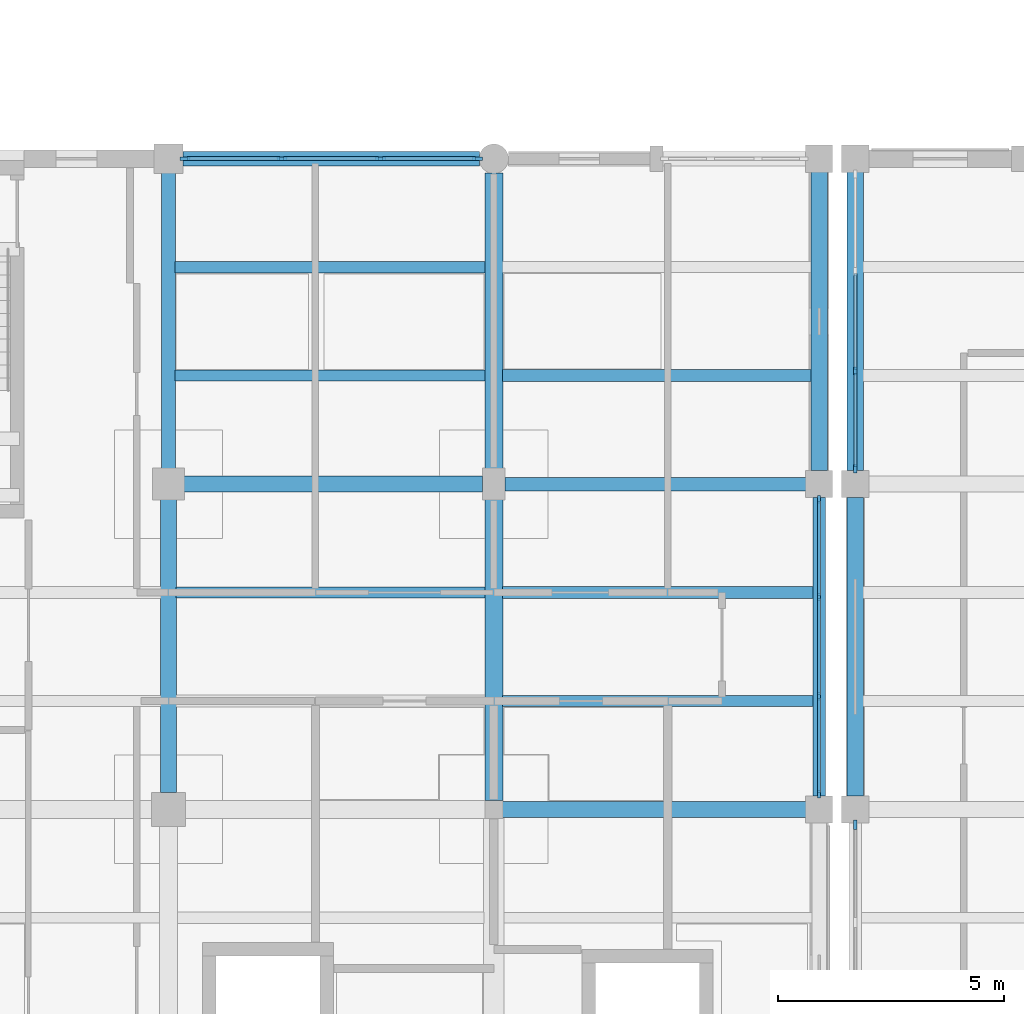
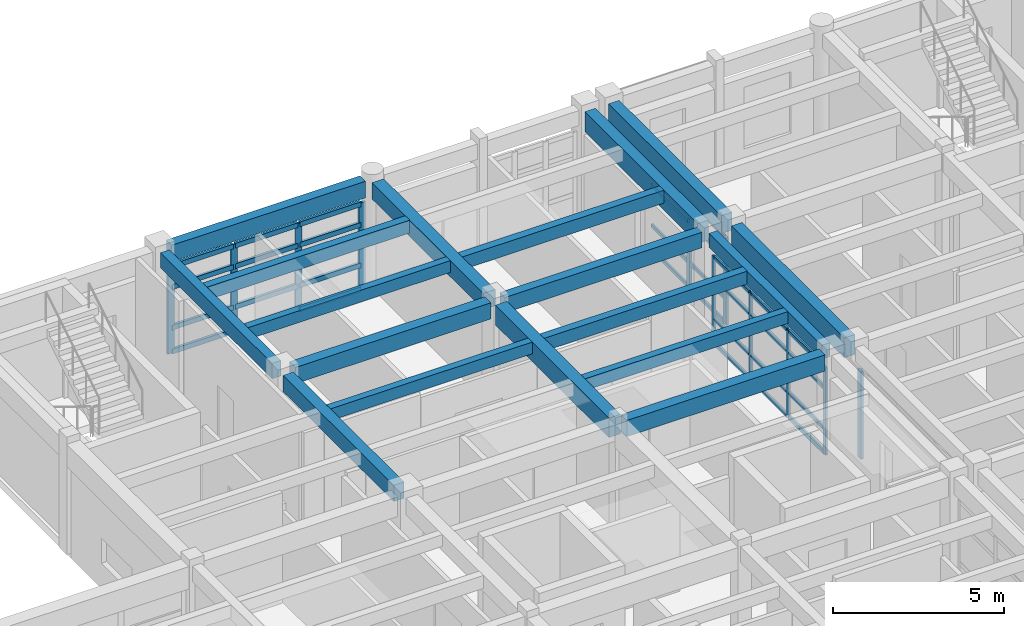
# One storey, part 33 of 110: 42 members, 18 beams, 4 elements without a shape of their own.
"""IFC4 building model written with IfcOpenShell, lengths in metres."""

from ifc_helpers import new_model, si_unit, direction, frame, origin, origin_2d, place, context, subcontext, project, spatial, rectangle, extrude, material, material_profile, profile_set, type_object, element, aggregate, save


model = new_model("IFC4")

# Units and contexts
model_context = context("Model", 3, precision=1e-05, world=origin(), true_north=direction((0.0, 1.0)))
body_context = subcontext(model_context, "Body", "Model", "MODEL_VIEW")
ifc_project = project(units=[si_unit("LENGTHUNIT", "METRE"), si_unit("AREAUNIT", "SQUARE_METRE"), si_unit("VOLUMEUNIT", "CUBIC_METRE"), si_unit("PLANEANGLEUNIT", "RADIAN"), si_unit("MASSUNIT", "GRAM", prefix="KILO")], contexts=[model_context])

# Site, building, storey
site_placement = place(None, origin())
site = spatial("IfcSite", under=ifc_project, at=site_placement, CompositionType="ELEMENT")
building_placement = place(site_placement, origin())
building = spatial("IfcBuilding", under=site, at=building_placement, Name="Steenspoor Specialist Clinic", CompositionType="ELEMENT")
storey_placement = place(building_placement, frame((0.0, 0.0, 4.800048828125)))
storey = spatial("IfcBuildingStorey", under=building, at=storey_placement, Name="L01", CompositionType="ELEMENT", Elevation=4.800048828125)

# Beams
ifc_material_1 = material(Name="Concrete C35/45", Category="concrete")
ifc_material_profile_1 = material_profile(ifc_material_1, rectangle(XDim=0.300048828125, YDim=0.550048828125, at=origin_2d()), Name="RC-BM-300X550")
ifc_profile_set_1 = profile_set([ifc_material_profile_1], Name="Concrete C35/45")
beam_type_1 = type_object("IfcBeamType", Name="BM-RC-300X550", PredefinedType="BEAM", material=ifc_profile_set_1)
beam_1_placement = place(storey_placement, frame((44.64501953125, 101.14990234375, 3.675048828125), z_axis=(1.0, 0.0, 0.0), x_axis=(0.0, 1.0, 0.0)))
element("IfcBeam", 1, at=beam_1_placement, inside=storey, type_object=beam_type_1, Name="BM-V5-L01-X1174", PredefinedType="BEAM", context=body_context, shape_type="SweptSolid", body=[
    extrude(rectangle(XDim=0.300048828125, YDim=0.550048828125, at=origin_2d()), origin(), (0.0, 0.0, 1.0), 6.659912109375),
])
beam_2_placement = place(storey_placement, frame((37.199951171875, 101.4951171875, 3.675048828125), z_axis=(0.0, 1.0, 0.0), x_axis=(-1.0, 0.0, 0.0)))
element("IfcBeam", 2, at=beam_2_placement, inside=storey, type_object=beam_type_1, Name="BM-V5-L01-Y1193", PredefinedType="BEAM", context=body_context, shape_type="SweptSolid", body=[
    extrude(rectangle(XDim=0.300048828125, YDim=0.550048828125, at=origin_2d()), origin(), (0.0, 0.0, 1.0), 6.534912109375),
])
ifc_material_profile_2 = material_profile(ifc_material_1, rectangle(XDim=0.35009765625, YDim=0.580078125, at=origin_2d()), Name="RC-BM-350X580")
ifc_profile_set_2 = profile_set([ifc_material_profile_2], Name="Concrete C35/45")
beam_type_2 = type_object("IfcBeamType", Name="BM-RC-350X580", PredefinedType="BEAM", material=ifc_profile_set_2)
beam_3_placement = place(storey_placement, frame((44.594970703125, 93.949951171875, 3.659912109375), z_axis=(1.0, 0.0, 0.0), x_axis=(0.0, 1.0, 0.0)))
element("IfcBeam", 3, at=beam_3_placement, inside=storey, type_object=beam_type_2, Name="BM-V5-L01-X1172", PredefinedType="BEAM", context=body_context, shape_type="SweptSolid", body=[
    extrude(rectangle(XDim=0.35009765625, YDim=0.580078125, at=origin_2d()), origin(), (0.0, 0.0, 1.0), 6.7099609375),
])
beam_4_placement = place(storey_placement, frame((37.544921875, 101.14990234375, 3.659912109375), z_axis=(1.0, 0.0, 0.0), x_axis=(0.0, 1.0, 0.0)))
element("IfcBeam", 4, at=beam_4_placement, inside=storey, type_object=beam_type_2, Name="BM-V5-L01-X1173", PredefinedType="BEAM", context=body_context, shape_type="SweptSolid", body=[
    extrude(rectangle(XDim=0.35009765625, YDim=0.580078125, at=origin_2d()), origin(), (0.0, 0.0, 1.0), 6.610107421875),
])
beam_5_placement = place(storey_placement, frame((37.199951171875, 94.320068359375, 3.659912109375), z_axis=(0.0, 1.0, 0.0), x_axis=(-1.0, 0.0, 0.0)))
element("IfcBeam", 5, at=beam_5_placement, inside=storey, type_object=beam_type_2, Name="BM-V5-L01-Y1192", PredefinedType="BEAM", context=body_context, shape_type="SweptSolid", body=[
    extrude(rectangle(XDim=0.35009765625, YDim=0.580078125, at=origin_2d()), origin(), (0.0, 0.0, 1.0), 6.48486328125),
])
ifc_material_profile_3 = material_profile(ifc_material_1, rectangle(XDim=0.39990234375, YDim=0.580078125, at=origin_2d()), Name="RC-BM-400X580")
ifc_profile_set_3 = profile_set([ifc_material_profile_3], Name="Concrete C35/45")
beam_type_3 = type_object("IfcBeamType", Name="BM-RC-400X580", PredefinedType="BEAM", material=ifc_profile_set_3)
beam_6_placement = place(storey_placement, frame((44.39990234375, 101.4951171875, 3.659912109375), z_axis=(0.0, 1.0, 0.0), x_axis=(-1.0, 0.0, 0.0)))
element("IfcBeam", 6, at=beam_6_placement, inside=storey, type_object=beam_type_3, Name="BM-V5-L01-Y1199", PredefinedType="BEAM", context=body_context, shape_type="SweptSolid", body=[
    extrude(rectangle(XDim=0.39990234375, YDim=0.580078125, at=origin_2d()), origin(), (0.0, 0.0, 1.0), 6.534912109375),
])
ifc_material_profile_4 = material_profile(ifc_material_1, rectangle(XDim=0.39990234375, YDim=0.699951171875, at=origin_2d()), Name="RC-BM-400X700")
ifc_profile_set_4 = profile_set([ifc_material_profile_4], Name="Concrete C35/45")
beam_type_4 = type_object("IfcBeamType", Name="BM-RC-400X700", PredefinedType="BEAM", material=ifc_profile_set_4)
beam_7_placement = place(storey_placement, frame((44.39990234375, 94.14501953125, 3.599853515625), z_axis=(0.0, 1.0, 0.0), x_axis=(-1.0, 0.0, 0.0)))
element("IfcBeam", 7, at=beam_7_placement, inside=storey, type_object=beam_type_4, Name="BM-V5-L01-Y1198", PredefinedType="BEAM", context=body_context, shape_type="SweptSolid", body=[
    extrude(rectangle(XDim=0.39990234375, YDim=0.699951171875, at=origin_2d()), origin(), (0.0, 0.0, 1.0), 6.659912109375),
])

# Curtain wall, members
ifc_material_2 = material(Name="Thermally broken aluminium and low-emissivity glass", Category="aluminium")
curtain_wall_type_1 = type_object("IfcCurtainWallType", Name="CW-HALL-650X820", PredefinedType="USERDEFINED", material=ifc_material_2)
curtain_wall_1_placement = place(storey_placement, origin())
curtain_wall_1 = element("IfcCurtainWall", 8, at=curtain_wall_1_placement, inside=storey, type_object=curtain_wall_type_1, Name="Unitised Curtain Wall CW-V5-L01-146", ObjectType="UNITISED GLAZING", PredefinedType="USERDEFINED")
ifc_material_3 = material(Name="Thermally broken aluminium 6063-T6", Category="aluminium")
ifc_material_profile_5 = material_profile(ifc_material_3, rectangle(XDim=0.070068359375, YDim=0.1650390625, at=origin_2d()), Name="CWM-70X165")
ifc_profile_set_5 = profile_set([ifc_material_profile_5], Name="Thermally broken aluminium 6063-T6")
member_type_1 = type_object("IfcMemberType", Name="CW-MULL-70X165", PredefinedType="MULLION", material=ifc_profile_set_5)
member_1_placement = place(storey_placement, frame((51.60009765625, 100.81494140625, 0.0), z_axis=(0.0, 0.0, 1.0), x_axis=(1.0, 0.0, 0.0)))
member_1 = element("IfcMember", 9, at=member_1_placement, type_object=member_type_1, Name="CW-02 mullion 1", PredefinedType="MULLION", context=body_context, shape_type="SweptSolid", body=[
    extrude(rectangle(XDim=0.070068359375, YDim=0.1650390625, at=origin_2d()), origin(), (0.0, 0.0, 1.0), 3.1298828125),
])
member_2_placement = place(storey_placement, frame((51.60009765625, 98.64990234375, 0.0), z_axis=(0.0, 0.0, 1.0), x_axis=(1.0, 0.0, 0.0)))
member_2 = element("IfcMember", 10, at=member_2_placement, type_object=member_type_1, Name="CW-02 mullion 2", PredefinedType="MULLION", context=body_context, shape_type="SweptSolid", body=[
    extrude(rectangle(XDim=0.070068359375, YDim=0.1650390625, at=origin_2d()), origin(), (0.0, 0.0, 1.0), 3.1298828125),
])
member_3_placement = place(storey_placement, frame((51.60009765625, 96.449951171875, 0.0), z_axis=(0.0, 0.0, 1.0), x_axis=(1.0, 0.0, 0.0)))
member_3 = element("IfcMember", 11, at=member_3_placement, type_object=member_type_1, Name="CW-02 mullion 3", PredefinedType="MULLION", context=body_context, shape_type="SweptSolid", body=[
    extrude(rectangle(XDim=0.070068359375, YDim=0.1650390625, at=origin_2d()), origin(), (0.0, 0.0, 1.0), 3.1298828125),
])
member_4_placement = place(storey_placement, frame((51.60009765625, 94.284912109375, 0.0), z_axis=(0.0, 0.0, 1.0), x_axis=(1.0, 0.0, 0.0)))
member_4 = element("IfcMember", 12, at=member_4_placement, type_object=member_type_1, Name="CW-02 mullion 4", PredefinedType="MULLION", context=body_context, shape_type="SweptSolid", body=[
    extrude(rectangle(XDim=0.070068359375, YDim=0.1650390625, at=origin_2d()), origin(), (0.0, 0.0, 1.0), 3.1298828125),
])

curtain_wall_type_2 = type_object("IfcCurtainWallType", Name="CW-SCR-360X320", PredefinedType="USERDEFINED", material=ifc_material_2)
curtain_wall_2_placement = place(storey_placement, origin())
curtain_wall_2 = element("IfcCurtainWall", 13, at=curtain_wall_2_placement, inside=storey, type_object=curtain_wall_type_2, Name="Unitised Curtain Wall CW-V4-L01-067", ObjectType="UNITISED GLAZING", PredefinedType="USERDEFINED")
ifc_material_profile_6 = material_profile(ifc_material_3, rectangle(XDim=0.080078125, YDim=0.179931640625, at=origin_2d()), Name="CWM-80X180")
ifc_profile_set_6 = profile_set([ifc_material_profile_6], Name="Thermally broken aluminium 6063-T6")
member_type_2 = type_object("IfcMemberType", Name="CW-MULL-80X180", PredefinedType="MULLION", material=ifc_profile_set_6)
member_5_placement = place(storey_placement, frame((52.39990234375, 101.489990234375, 0.0), z_axis=(0.0, 0.0, 1.0), x_axis=(-1.0, 0.0, 0.0)))
member_5 = element("IfcMember", 14, at=member_5_placement, type_object=member_type_2, Name="CW-19 mullion 1", PredefinedType="MULLION", context=body_context, shape_type="SweptSolid", body=[
    extrude(rectangle(XDim=0.080078125, YDim=0.179931640625, at=origin_2d()), origin(), (0.0, 0.0, 1.0), 3.1298828125),
])
member_6_placement = place(storey_placement, frame((52.39990234375, 103.64990234375, 0.0), z_axis=(0.0, 0.0, 1.0), x_axis=(-1.0, 0.0, 0.0)))
member_6 = element("IfcMember", 15, at=member_6_placement, type_object=member_type_2, Name="CW-19 mullion 2", PredefinedType="MULLION", context=body_context, shape_type="SweptSolid", body=[
    extrude(rectangle(XDim=0.080078125, YDim=0.179931640625, at=origin_2d()), origin(), (0.0, 0.0, 1.0), 3.1298828125),
])

# Curtain wall, member
curtain_wall_type_3 = type_object("IfcCurtainWallType", Name="CW-SCR-480X320", PredefinedType="USERDEFINED", material=ifc_material_2)
curtain_wall_3_placement = place(storey_placement, origin())
curtain_wall_3 = element("IfcCurtainWall", 16, at=curtain_wall_3_placement, inside=storey, type_object=curtain_wall_type_3, Name="Unitised Curtain Wall CW-V4-L01-066", ObjectType="UNITISED GLAZING", PredefinedType="USERDEFINED")
ifc_material_profile_7 = material_profile(ifc_material_3, rectangle(XDim=0.080078125, YDim=0.219970703125, at=origin_2d()), Name="CWM-80X220")
ifc_profile_set_7 = profile_set([ifc_material_profile_7], Name="Thermally broken aluminium 6063-T6")
member_type_3 = type_object("IfcMemberType", Name="CW-MULL-80X220", PredefinedType="MULLION", material=ifc_profile_set_7)
member_7_placement = place(storey_placement, frame((52.39990234375, 93.610107421875, 0.0), z_axis=(0.0, 0.0, 1.0), x_axis=(-1.0, 0.0, 0.0)))
member_7 = element("IfcMember", 17, at=member_7_placement, type_object=member_type_3, Name="CW-18 mullion 4", PredefinedType="MULLION", context=body_context, shape_type="SweptSolid", body=[
    extrude(rectangle(XDim=0.080078125, YDim=0.219970703125, at=origin_2d()), origin(), (0.0, 0.0, 1.0), 3.1298828125),
])
aggregate(curtain_wall_3, [member_7])

# Curtain wall, members
curtain_wall_type_4 = type_object("IfcCurtainWallType", Name="CW-STR-220X415", PredefinedType="USERDEFINED", material=ifc_material_2)
curtain_wall_4_placement = place(storey_placement, origin())
curtain_wall_4 = element("IfcCurtainWall", 18, at=curtain_wall_4_placement, inside=storey, type_object=curtain_wall_type_4, Name="Unitised Curtain Wall CW-V5-L01-144", ObjectType="UNITISED GLAZING", PredefinedType="USERDEFINED")
member_8_placement = place(storey_placement, frame((37.56494140625, 108.35009765625, 0.0), z_axis=(0.0, 0.0, 1.0), x_axis=(0.0, 1.0, 0.0)))
member_8 = element("IfcMember", 19, at=member_8_placement, type_object=member_type_3, Name="CW-24 mullion 1", PredefinedType="MULLION", context=body_context, shape_type="SweptSolid", body=[
    extrude(rectangle(XDim=0.080078125, YDim=0.219970703125, at=origin_2d()), origin(), (0.0, 0.0, 1.0), 3.1298828125),
])
member_9_placement = place(storey_placement, frame((39.708251953125, 108.35009765625, 0.0), z_axis=(0.0, 0.0, 1.0), x_axis=(0.0, 1.0, 0.0)))
member_9 = element("IfcMember", 20, at=member_9_placement, type_object=member_type_3, Name="CW-24 mullion 2", PredefinedType="MULLION", context=body_context, shape_type="SweptSolid", body=[
    extrude(rectangle(XDim=0.080078125, YDim=0.219970703125, at=origin_2d()), origin(), (0.0, 0.0, 1.0), 3.1298828125),
])
member_10_placement = place(storey_placement, frame((41.8916015625, 108.35009765625, 0.0), z_axis=(0.0, 0.0, 1.0), x_axis=(0.0, 1.0, 0.0)))
member_10 = element("IfcMember", 21, at=member_10_placement, type_object=member_type_3, Name="CW-24 mullion 3", PredefinedType="MULLION", context=body_context, shape_type="SweptSolid", body=[
    extrude(rectangle(XDim=0.080078125, YDim=0.219970703125, at=origin_2d()), origin(), (0.0, 0.0, 1.0), 3.1298828125),
])
member_11_placement = place(storey_placement, frame((44.034912109375, 108.35009765625, 0.0), z_axis=(0.0, 0.0, 1.0), x_axis=(0.0, 1.0, 0.0)))
member_11 = element("IfcMember", 22, at=member_11_placement, type_object=member_type_3, Name="CW-24 mullion 4", PredefinedType="MULLION", context=body_context, shape_type="SweptSolid", body=[
    extrude(rectangle(XDim=0.080078125, YDim=0.219970703125, at=origin_2d()), origin(), (0.0, 0.0, 1.0), 3.1298828125),
])

# Member
ifc_material_profile_8 = material_profile(ifc_material_3, rectangle(XDim=0.06494140625, YDim=0.1298828125, at=origin_2d()), Name="CWT-65X130")
ifc_profile_set_8 = profile_set([ifc_material_profile_8], Name="Thermally broken aluminium 6063-T6")
member_type_4 = type_object("IfcMemberType", Name="CW-TRAN-65X130", PredefinedType="USERDEFINED", material=ifc_profile_set_8)
member_12_placement = place(storey_placement, frame((52.39990234375, 101.530029296875, 0.032470703125), z_axis=(0.0, 1.0, 0.0), x_axis=(-1.0, 0.0, 0.0)))
member_12 = element("IfcMember", 23, at=member_12_placement, type_object=member_type_4, Name="CW-19 transom 1.1", ObjectType="TRANSOM", PredefinedType="USERDEFINED", context=body_context, shape_type="SweptSolid", body=[
    extrude(rectangle(XDim=0.06494140625, YDim=0.1298828125, at=origin_2d()), origin(), (0.0, 0.0, 1.0), 2.080078125),
])

member_13_placement = place(storey_placement, frame((52.39990234375, 101.530029296875, 0.89990234375), z_axis=(0.0, 1.0, 0.0), x_axis=(-1.0, 0.0, 0.0)))
member_13 = element("IfcMember", 24, at=member_13_placement, type_object=member_type_4, Name="CW-19 transom 1.2", ObjectType="TRANSOM", PredefinedType="USERDEFINED", context=body_context, shape_type="SweptSolid", body=[
    extrude(rectangle(XDim=0.06494140625, YDim=0.1298828125, at=origin_2d()), origin(), (0.0, 0.0, 1.0), 2.080078125),
])

member_14_placement = place(storey_placement, frame((52.39990234375, 101.530029296875, 2.349853515625), z_axis=(0.0, 1.0, 0.0), x_axis=(-1.0, 0.0, 0.0)))
member_14 = element("IfcMember", 25, at=member_14_placement, type_object=member_type_4, Name="CW-19 transom 1.3", ObjectType="TRANSOM", PredefinedType="USERDEFINED", context=body_context, shape_type="SweptSolid", body=[
    extrude(rectangle(XDim=0.06494140625, YDim=0.1298828125, at=origin_2d()), origin(), (0.0, 0.0, 1.0), 2.080078125),
])

member_15_placement = place(storey_placement, frame((52.39990234375, 101.530029296875, 3.097412109375), z_axis=(0.0, 1.0, 0.0), x_axis=(-1.0, 0.0, 0.0)))
member_15 = element("IfcMember", 26, at=member_15_placement, type_object=member_type_4, Name="CW-19 transom 1.4", ObjectType="TRANSOM", PredefinedType="USERDEFINED", context=body_context, shape_type="SweptSolid", body=[
    extrude(rectangle(XDim=0.06494140625, YDim=0.1298828125, at=origin_2d()), origin(), (0.0, 0.0, 1.0), 2.080078125),
])

member_16_placement = place(storey_placement, frame((52.39990234375, 103.68994140625, 0.032470703125), z_axis=(0.0, 1.0, 0.0), x_axis=(-1.0, 0.0, 0.0)))
member_16 = element("IfcMember", 27, at=member_16_placement, type_object=member_type_4, Name="CW-19 transom 2.1", ObjectType="TRANSOM", PredefinedType="USERDEFINED", context=body_context, shape_type="SweptSolid", body=[
    extrude(rectangle(XDim=0.06494140625, YDim=0.1298828125, at=origin_2d()), origin(), (0.0, 0.0, 1.0), 2.1201171875),
])

member_17_placement = place(storey_placement, frame((52.39990234375, 103.68994140625, 0.89990234375), z_axis=(0.0, 1.0, 0.0), x_axis=(-1.0, 0.0, 0.0)))
member_17 = element("IfcMember", 28, at=member_17_placement, type_object=member_type_4, Name="CW-19 transom 2.2", ObjectType="TRANSOM", PredefinedType="USERDEFINED", context=body_context, shape_type="SweptSolid", body=[
    extrude(rectangle(XDim=0.06494140625, YDim=0.1298828125, at=origin_2d()), origin(), (0.0, 0.0, 1.0), 2.1201171875),
])

member_18_placement = place(storey_placement, frame((52.39990234375, 103.68994140625, 2.349853515625), z_axis=(0.0, 1.0, 0.0), x_axis=(-1.0, 0.0, 0.0)))
member_18 = element("IfcMember", 29, at=member_18_placement, type_object=member_type_4, Name="CW-19 transom 2.3", ObjectType="TRANSOM", PredefinedType="USERDEFINED", context=body_context, shape_type="SweptSolid", body=[
    extrude(rectangle(XDim=0.06494140625, YDim=0.1298828125, at=origin_2d()), origin(), (0.0, 0.0, 1.0), 2.1201171875),
])

aggregate(curtain_wall_2, [member_5, member_6, member_12, member_13, member_14, member_15, member_16, member_17, member_18])

ifc_material_profile_9 = material_profile(ifc_material_3, rectangle(XDim=0.070068359375, YDim=0.14501953125, at=origin_2d()), Name="CWT-70X145")
ifc_profile_set_9 = profile_set([ifc_material_profile_9], Name="Thermally broken aluminium 6063-T6")
member_type_5 = type_object("IfcMemberType", Name="CW-TRAN-70X145", PredefinedType="USERDEFINED", material=ifc_profile_set_9)
member_19_placement = place(storey_placement, frame((51.60009765625, 100.780029296875, 0.034912109375), z_axis=(0.0, -1.0, 0.0), x_axis=(1.0, 0.0, 0.0)))
member_19 = element("IfcMember", 30, at=member_19_placement, type_object=member_type_5, Name="CW-02 transom 1.1", ObjectType="TRANSOM", PredefinedType="USERDEFINED", context=body_context, shape_type="SweptSolid", body=[
    extrude(rectangle(XDim=0.070068359375, YDim=0.14501953125, at=origin_2d()), origin(), (0.0, 0.0, 1.0), 2.094970703125),
])

member_20_placement = place(storey_placement, frame((51.60009765625, 100.780029296875, 0.89990234375), z_axis=(0.0, -1.0, 0.0), x_axis=(1.0, 0.0, 0.0)))
member_20 = element("IfcMember", 31, at=member_20_placement, type_object=member_type_5, Name="CW-02 transom 1.2", ObjectType="TRANSOM", PredefinedType="USERDEFINED", context=body_context, shape_type="SweptSolid", body=[
    extrude(rectangle(XDim=0.070068359375, YDim=0.14501953125, at=origin_2d()), origin(), (0.0, 0.0, 1.0), 2.094970703125),
])

member_21_placement = place(storey_placement, frame((51.60009765625, 100.780029296875, 2.349853515625), z_axis=(0.0, -1.0, 0.0), x_axis=(1.0, 0.0, 0.0)))
member_21 = element("IfcMember", 32, at=member_21_placement, type_object=member_type_5, Name="CW-02 transom 1.3", ObjectType="TRANSOM", PredefinedType="USERDEFINED", context=body_context, shape_type="SweptSolid", body=[
    extrude(rectangle(XDim=0.070068359375, YDim=0.14501953125, at=origin_2d()), origin(), (0.0, 0.0, 1.0), 2.094970703125),
])

member_22_placement = place(storey_placement, frame((51.60009765625, 100.780029296875, 3.094970703125), z_axis=(0.0, -1.0, 0.0), x_axis=(1.0, 0.0, 0.0)))
member_22 = element("IfcMember", 33, at=member_22_placement, type_object=member_type_5, Name="CW-02 transom 1.4", ObjectType="TRANSOM", PredefinedType="USERDEFINED", context=body_context, shape_type="SweptSolid", body=[
    extrude(rectangle(XDim=0.070068359375, YDim=0.14501953125, at=origin_2d()), origin(), (0.0, 0.0, 1.0), 2.094970703125),
])

member_23_placement = place(storey_placement, frame((51.60009765625, 98.614990234375, 0.034912109375), z_axis=(0.0, -1.0, 0.0), x_axis=(1.0, 0.0, 0.0)))
member_23 = element("IfcMember", 34, at=member_23_placement, type_object=member_type_5, Name="CW-02 transom 2.1", ObjectType="TRANSOM", PredefinedType="USERDEFINED", context=body_context, shape_type="SweptSolid", body=[
    extrude(rectangle(XDim=0.070068359375, YDim=0.14501953125, at=origin_2d()), origin(), (0.0, 0.0, 1.0), 2.1298828125),
])

member_24_placement = place(storey_placement, frame((51.60009765625, 98.614990234375, 0.89990234375), z_axis=(0.0, -1.0, 0.0), x_axis=(1.0, 0.0, 0.0)))
member_24 = element("IfcMember", 35, at=member_24_placement, type_object=member_type_5, Name="CW-02 transom 2.2", ObjectType="TRANSOM", PredefinedType="USERDEFINED", context=body_context, shape_type="SweptSolid", body=[
    extrude(rectangle(XDim=0.070068359375, YDim=0.14501953125, at=origin_2d()), origin(), (0.0, 0.0, 1.0), 2.1298828125),
])

member_25_placement = place(storey_placement, frame((51.60009765625, 98.614990234375, 2.349853515625), z_axis=(0.0, -1.0, 0.0), x_axis=(1.0, 0.0, 0.0)))
member_25 = element("IfcMember", 36, at=member_25_placement, type_object=member_type_5, Name="CW-02 transom 2.3", ObjectType="TRANSOM", PredefinedType="USERDEFINED", context=body_context, shape_type="SweptSolid", body=[
    extrude(rectangle(XDim=0.070068359375, YDim=0.14501953125, at=origin_2d()), origin(), (0.0, 0.0, 1.0), 2.1298828125),
])

member_26_placement = place(storey_placement, frame((51.60009765625, 98.614990234375, 3.094970703125), z_axis=(0.0, -1.0, 0.0), x_axis=(1.0, 0.0, 0.0)))
member_26 = element("IfcMember", 37, at=member_26_placement, type_object=member_type_5, Name="CW-02 transom 2.4", ObjectType="TRANSOM", PredefinedType="USERDEFINED", context=body_context, shape_type="SweptSolid", body=[
    extrude(rectangle(XDim=0.070068359375, YDim=0.14501953125, at=origin_2d()), origin(), (0.0, 0.0, 1.0), 2.1298828125),
])

member_27_placement = place(storey_placement, frame((51.60009765625, 96.4150390625, 0.034912109375), z_axis=(0.0, -1.0, 0.0), x_axis=(1.0, 0.0, 0.0)))
member_27 = element("IfcMember", 38, at=member_27_placement, type_object=member_type_5, Name="CW-02 transom 3.1", ObjectType="TRANSOM", PredefinedType="USERDEFINED", context=body_context, shape_type="SweptSolid", body=[
    extrude(rectangle(XDim=0.070068359375, YDim=0.14501953125, at=origin_2d()), origin(), (0.0, 0.0, 1.0), 2.094970703125),
])

member_28_placement = place(storey_placement, frame((51.60009765625, 96.4150390625, 0.89990234375), z_axis=(0.0, -1.0, 0.0), x_axis=(1.0, 0.0, 0.0)))
member_28 = element("IfcMember", 39, at=member_28_placement, type_object=member_type_5, Name="CW-02 transom 3.2", ObjectType="TRANSOM", PredefinedType="USERDEFINED", context=body_context, shape_type="SweptSolid", body=[
    extrude(rectangle(XDim=0.070068359375, YDim=0.14501953125, at=origin_2d()), origin(), (0.0, 0.0, 1.0), 2.094970703125),
])

member_29_placement = place(storey_placement, frame((51.60009765625, 96.4150390625, 2.349853515625), z_axis=(0.0, -1.0, 0.0), x_axis=(1.0, 0.0, 0.0)))
member_29 = element("IfcMember", 40, at=member_29_placement, type_object=member_type_5, Name="CW-02 transom 3.3", ObjectType="TRANSOM", PredefinedType="USERDEFINED", context=body_context, shape_type="SweptSolid", body=[
    extrude(rectangle(XDim=0.070068359375, YDim=0.14501953125, at=origin_2d()), origin(), (0.0, 0.0, 1.0), 2.094970703125),
])

member_30_placement = place(storey_placement, frame((51.60009765625, 96.4150390625, 3.094970703125), z_axis=(0.0, -1.0, 0.0), x_axis=(1.0, 0.0, 0.0)))
member_30 = element("IfcMember", 41, at=member_30_placement, type_object=member_type_5, Name="CW-02 transom 3.4", ObjectType="TRANSOM", PredefinedType="USERDEFINED", context=body_context, shape_type="SweptSolid", body=[
    extrude(rectangle(XDim=0.070068359375, YDim=0.14501953125, at=origin_2d()), origin(), (0.0, 0.0, 1.0), 2.094970703125),
])

aggregate(curtain_wall_1, [member_1, member_2, member_3, member_4, member_19, member_20, member_21, member_22, member_23, member_24, member_25, member_26, member_27, member_28, member_29, member_30])

ifc_material_profile_10 = material_profile(ifc_material_3, rectangle(XDim=0.090087890625, YDim=0.175048828125, at=origin_2d()), Name="CWT-90X175")
ifc_profile_set_10 = profile_set([ifc_material_profile_10], Name="Thermally broken aluminium 6063-T6")
member_type_6 = type_object("IfcMemberType", Name="CW-TRAN-90X175", PredefinedType="USERDEFINED", material=ifc_profile_set_10)
member_31_placement = place(storey_placement, frame((37.60498046875, 108.35009765625, 0.044921875), z_axis=(1.0, 0.0, 0.0), x_axis=(0.0, 1.0, 0.0)))
member_31 = element("IfcMember", 42, at=member_31_placement, type_object=member_type_6, Name="CW-24 transom 1.1", ObjectType="TRANSOM", PredefinedType="USERDEFINED", context=body_context, shape_type="SweptSolid", body=[
    extrude(rectangle(XDim=0.090087890625, YDim=0.175048828125, at=origin_2d()), origin(), (0.0, 0.0, 1.0), 2.063232421875),
])

member_32_placement = place(storey_placement, frame((37.60498046875, 108.35009765625, 0.89990234375), z_axis=(1.0, 0.0, 0.0), x_axis=(0.0, 1.0, 0.0)))
member_32 = element("IfcMember", 43, at=member_32_placement, type_object=member_type_6, Name="CW-24 transom 1.2", ObjectType="TRANSOM", PredefinedType="USERDEFINED", context=body_context, shape_type="SweptSolid", body=[
    extrude(rectangle(XDim=0.090087890625, YDim=0.175048828125, at=origin_2d()), origin(), (0.0, 0.0, 1.0), 2.063232421875),
])

member_33_placement = place(storey_placement, frame((37.60498046875, 108.35009765625, 2.349853515625), z_axis=(1.0, 0.0, 0.0), x_axis=(0.0, 1.0, 0.0)))
member_33 = element("IfcMember", 44, at=member_33_placement, type_object=member_type_6, Name="CW-24 transom 1.3", ObjectType="TRANSOM", PredefinedType="USERDEFINED", context=body_context, shape_type="SweptSolid", body=[
    extrude(rectangle(XDim=0.090087890625, YDim=0.175048828125, at=origin_2d()), origin(), (0.0, 0.0, 1.0), 2.063232421875),
])

member_34_placement = place(storey_placement, frame((37.60498046875, 108.35009765625, 3.0849609375), z_axis=(1.0, 0.0, 0.0), x_axis=(0.0, 1.0, 0.0)))
member_34 = element("IfcMember", 45, at=member_34_placement, type_object=member_type_6, Name="CW-24 transom 1.4", ObjectType="TRANSOM", PredefinedType="USERDEFINED", context=body_context, shape_type="SweptSolid", body=[
    extrude(rectangle(XDim=0.090087890625, YDim=0.175048828125, at=origin_2d()), origin(), (0.0, 0.0, 1.0), 2.063232421875),
])

member_35_placement = place(storey_placement, frame((39.748291015625, 108.35009765625, 0.044921875), z_axis=(1.0, 0.0, 0.0), x_axis=(0.0, 1.0, 0.0)))
member_35 = element("IfcMember", 46, at=member_35_placement, type_object=member_type_6, Name="CW-24 transom 2.1", ObjectType="TRANSOM", PredefinedType="USERDEFINED", context=body_context, shape_type="SweptSolid", body=[
    extrude(rectangle(XDim=0.090087890625, YDim=0.175048828125, at=origin_2d()), origin(), (0.0, 0.0, 1.0), 2.103271484375),
])

member_36_placement = place(storey_placement, frame((39.748291015625, 108.35009765625, 0.89990234375), z_axis=(1.0, 0.0, 0.0), x_axis=(0.0, 1.0, 0.0)))
member_36 = element("IfcMember", 47, at=member_36_placement, type_object=member_type_6, Name="CW-24 transom 2.2", ObjectType="TRANSOM", PredefinedType="USERDEFINED", context=body_context, shape_type="SweptSolid", body=[
    extrude(rectangle(XDim=0.090087890625, YDim=0.175048828125, at=origin_2d()), origin(), (0.0, 0.0, 1.0), 2.103271484375),
])

member_37_placement = place(storey_placement, frame((39.748291015625, 108.35009765625, 2.349853515625), z_axis=(1.0, 0.0, 0.0), x_axis=(0.0, 1.0, 0.0)))
member_37 = element("IfcMember", 48, at=member_37_placement, type_object=member_type_6, Name="CW-24 transom 2.3", ObjectType="TRANSOM", PredefinedType="USERDEFINED", context=body_context, shape_type="SweptSolid", body=[
    extrude(rectangle(XDim=0.090087890625, YDim=0.175048828125, at=origin_2d()), origin(), (0.0, 0.0, 1.0), 2.103271484375),
])

member_38_placement = place(storey_placement, frame((39.748291015625, 108.35009765625, 3.0849609375), z_axis=(1.0, 0.0, 0.0), x_axis=(0.0, 1.0, 0.0)))
member_38 = element("IfcMember", 49, at=member_38_placement, type_object=member_type_6, Name="CW-24 transom 2.4", ObjectType="TRANSOM", PredefinedType="USERDEFINED", context=body_context, shape_type="SweptSolid", body=[
    extrude(rectangle(XDim=0.090087890625, YDim=0.175048828125, at=origin_2d()), origin(), (0.0, 0.0, 1.0), 2.103271484375),
])

member_39_placement = place(storey_placement, frame((41.931640625, 108.35009765625, 0.044921875), z_axis=(1.0, 0.0, 0.0), x_axis=(0.0, 1.0, 0.0)))
member_39 = element("IfcMember", 50, at=member_39_placement, type_object=member_type_6, Name="CW-24 transom 3.1", ObjectType="TRANSOM", PredefinedType="USERDEFINED", context=body_context, shape_type="SweptSolid", body=[
    extrude(rectangle(XDim=0.090087890625, YDim=0.175048828125, at=origin_2d()), origin(), (0.0, 0.0, 1.0), 2.0634765625),
])

member_40_placement = place(storey_placement, frame((41.931640625, 108.35009765625, 0.89990234375), z_axis=(1.0, 0.0, 0.0), x_axis=(0.0, 1.0, 0.0)))
member_40 = element("IfcMember", 51, at=member_40_placement, type_object=member_type_6, Name="CW-24 transom 3.2", ObjectType="TRANSOM", PredefinedType="USERDEFINED", context=body_context, shape_type="SweptSolid", body=[
    extrude(rectangle(XDim=0.090087890625, YDim=0.175048828125, at=origin_2d()), origin(), (0.0, 0.0, 1.0), 2.0634765625),
])

member_41_placement = place(storey_placement, frame((41.931640625, 108.35009765625, 2.349853515625), z_axis=(1.0, 0.0, 0.0), x_axis=(0.0, 1.0, 0.0)))
member_41 = element("IfcMember", 52, at=member_41_placement, type_object=member_type_6, Name="CW-24 transom 3.3", ObjectType="TRANSOM", PredefinedType="USERDEFINED", context=body_context, shape_type="SweptSolid", body=[
    extrude(rectangle(XDim=0.090087890625, YDim=0.175048828125, at=origin_2d()), origin(), (0.0, 0.0, 1.0), 2.0634765625),
])

member_42_placement = place(storey_placement, frame((41.931640625, 108.35009765625, 3.0849609375), z_axis=(1.0, 0.0, 0.0), x_axis=(0.0, 1.0, 0.0)))
member_42 = element("IfcMember", 53, at=member_42_placement, type_object=member_type_6, Name="CW-24 transom 3.4", ObjectType="TRANSOM", PredefinedType="USERDEFINED", context=body_context, shape_type="SweptSolid", body=[
    extrude(rectangle(XDim=0.090087890625, YDim=0.175048828125, at=origin_2d()), origin(), (0.0, 0.0, 1.0), 2.0634765625),
])

aggregate(curtain_wall_4, [member_8, member_9, member_10, member_11, member_31, member_32, member_33, member_34, member_35, member_36, member_37, member_38, member_39, member_40, member_41, member_42])

# Beams
ifc_material_profile_11 = material_profile(ifc_material_1, rectangle(XDim=0.239990234375, YDim=0.419921875, at=origin_2d()), Name="RC-JT-240X420")
ifc_profile_set_11 = profile_set([ifc_material_profile_11], Name="Concrete C35/45")
beam_type_5 = type_object("IfcBeamType", Name="JT-RC-240X420", PredefinedType="JOIST", material=ifc_profile_set_11)
beam_8_placement = place(storey_placement, frame((37.3701171875, 98.75, 3.739990234375), z_axis=(1.0, 0.0, 0.0), x_axis=(0.0, 1.0, 0.0)))
element("IfcBeam", 54, at=beam_8_placement, inside=storey, type_object=beam_type_5, Name="JT-V5-L01-1236", PredefinedType="JOIST", context=body_context, shape_type="SweptSolid", body=[
    extrude(rectangle(XDim=0.239990234375, YDim=0.419921875, at=origin_2d()), origin(), (0.0, 0.0, 1.0), 6.8349609375),
])
beam_9_placement = place(storey_placement, frame((37.344970703125, 103.550048828125, 3.739990234375), z_axis=(1.0, 0.0, 0.0), x_axis=(0.0, 1.0, 0.0)))
element("IfcBeam", 55, at=beam_9_placement, inside=storey, type_object=beam_type_5, Name="JT-V5-L01-1237", PredefinedType="JOIST", context=body_context, shape_type="SweptSolid", body=[
    extrude(rectangle(XDim=0.239990234375, YDim=0.419921875, at=origin_2d()), origin(), (0.0, 0.0, 1.0), 6.860107421875),
])
beam_10_placement = place(storey_placement, frame((44.594970703125, 96.35009765625, 3.739990234375), z_axis=(1.0, 0.0, 0.0), x_axis=(0.0, 1.0, 0.0)))
element("IfcBeam", 56, at=beam_10_placement, inside=storey, type_object=beam_type_5, Name="JT-V5-L01-1246", PredefinedType="JOIST", context=body_context, shape_type="SweptSolid", body=[
    extrude(rectangle(XDim=0.239990234375, YDim=0.419921875, at=origin_2d()), origin(), (0.0, 0.0, 1.0), 6.8701171875),
])
ifc_material_profile_12 = material_profile(ifc_material_1, rectangle(XDim=0.260009765625, YDim=0.4599609375, at=origin_2d()), Name="RC-JT-260X460")
ifc_profile_set_12 = profile_set([ifc_material_profile_12], Name="Concrete C35/45")
beam_type_6 = type_object("IfcBeamType", Name="JT-RC-260X460", PredefinedType="JOIST", material=ifc_profile_set_12)
beam_11_placement = place(storey_placement, frame((37.344970703125, 105.949951171875, 3.719970703125), z_axis=(1.0, 0.0, 0.0), x_axis=(0.0, 1.0, 0.0)))
element("IfcBeam", 57, at=beam_11_placement, inside=storey, type_object=beam_type_6, Name="JT-V5-L01-1238", PredefinedType="JOIST", context=body_context, shape_type="SweptSolid", body=[
    extrude(rectangle(XDim=0.260009765625, YDim=0.4599609375, at=origin_2d()), origin(), (0.0, 0.0, 1.0), 6.860107421875),
])
beam_12_placement = place(storey_placement, frame((44.594970703125, 98.75, 3.719970703125), z_axis=(1.0, 0.0, 0.0), x_axis=(0.0, 1.0, 0.0)))
element("IfcBeam", 58, at=beam_12_placement, inside=storey, type_object=beam_type_6, Name="JT-V5-L01-1247", PredefinedType="JOIST", context=body_context, shape_type="SweptSolid", body=[
    extrude(rectangle(XDim=0.260009765625, YDim=0.4599609375, at=origin_2d()), origin(), (0.0, 0.0, 1.0), 6.8701171875),
])
beam_13_placement = place(storey_placement, frame((44.594970703125, 103.550048828125, 3.719970703125), z_axis=(1.0, 0.0, 0.0), x_axis=(0.0, 1.0, 0.0)))
element("IfcBeam", 59, at=beam_13_placement, inside=storey, type_object=beam_type_6, Name="JT-V5-L01-1248", PredefinedType="JOIST", context=body_context, shape_type="SweptSolid", body=[
    extrude(rectangle(XDim=0.260009765625, YDim=0.4599609375, at=origin_2d()), origin(), (0.0, 0.0, 1.0), 6.830078125),
])
ifc_material_profile_13 = material_profile(ifc_material_1, rectangle(XDim=0.280029296875, YDim=0.5, at=origin_2d()), Name="RC-SP-280X500")
ifc_profile_set_13 = profile_set([ifc_material_profile_13], Name="Concrete C35/45")
beam_type_7 = type_object("IfcBeamType", Name="SP-RC-280X500", PredefinedType="SPANDREL", material=ifc_profile_set_13)
beam_14_placement = place(storey_placement, frame((51.60009765625, 94.2451171875, 3.699951171875), z_axis=(0.0, 1.0, 0.0), x_axis=(-1.0, 0.0, 0.0)))
element("IfcBeam", 60, at=beam_14_placement, inside=storey, type_object=beam_type_7, Name="BM-V5-L01-Y1204", PredefinedType="SPANDREL", context=body_context, shape_type="SweptSolid", body=[
    extrude(rectangle(XDim=0.280029296875, YDim=0.5, at=origin_2d()), origin(), (0.0, 0.0, 1.0), 6.60986328125),
])
ifc_material_profile_14 = material_profile(ifc_material_1, rectangle(XDim=0.320068359375, YDim=0.60009765625, at=origin_2d()), Name="RC-SP-320X600")
ifc_profile_set_14 = profile_set([ifc_material_profile_14], Name="Concrete C35/45")
beam_type_8 = type_object("IfcBeamType", Name="SP-RC-320X600", PredefinedType="SPANDREL", material=ifc_profile_set_14)
beam_15_placement = place(storey_placement, frame((37.52001953125, 108.35009765625, 3.64990234375), z_axis=(1.0, 0.0, 0.0), x_axis=(0.0, 1.0, 0.0)))
element("IfcBeam", 61, at=beam_15_placement, inside=storey, type_object=beam_type_8, Name="BM-V5-L01-X1176", PredefinedType="SPANDREL", context=body_context, shape_type="SweptSolid", body=[
    extrude(rectangle(XDim=0.320068359375, YDim=0.60009765625, at=origin_2d()), origin(), (0.0, 0.0, 1.0), 6.56005859375),
])
ifc_material_profile_15 = material_profile(ifc_material_1, rectangle(XDim=0.360107421875, YDim=0.639892578125, at=origin_2d()), Name="RC-SP-360X640")
ifc_profile_set_15 = profile_set([ifc_material_profile_15], Name="Concrete C35/45")
beam_type_9 = type_object("IfcBeamType", Name="SP-RC-360X640", PredefinedType="SPANDREL", material=ifc_profile_set_15)
beam_16_placement = place(storey_placement, frame((52.39990234375, 101.445068359375, 3.6298828125), z_axis=(0.0, 1.0, 0.0), x_axis=(-1.0, 0.0, 0.0)))
element("IfcBeam", 62, at=beam_16_placement, inside=storey, type_object=beam_type_9, Name="BM-V4-L01-Y0526", PredefinedType="SPANDREL", context=body_context, shape_type="SweptSolid", body=[
    extrude(rectangle(XDim=0.360107421875, YDim=0.639892578125, at=origin_2d()), origin(), (0.0, 0.0, 1.0), 6.60986328125),
])
ifc_material_profile_16 = material_profile(ifc_material_1, rectangle(XDim=0.360107421875, YDim=0.719970703125, at=origin_2d()), Name="RC-SP-360X720")
ifc_profile_set_16 = profile_set([ifc_material_profile_16], Name="Concrete C35/45")
beam_type_10 = type_object("IfcBeamType", Name="SP-RC-360X720", PredefinedType="SPANDREL", material=ifc_profile_set_16)
for number, where, z_axis, x_axis, name in (
    (63, (52.39990234375, 94.2451171875, 3.58984375), (0.0, 1.0, 0.0), (-1.0, 0.0, 0.0), "BM-V4-L01-Y0525"),
    (64, (51.60009765625, 101.445068359375, 3.58984375), (0.0, 1.0, 0.0), (-1.0, 0.0, 0.0), "BM-V5-L01-Y1205"),
):
    element("IfcBeam", number, at=place(storey_placement, frame(where, z_axis=z_axis, x_axis=x_axis)), inside=storey, type_object=beam_type_10, Name=name, PredefinedType="SPANDREL", context=body_context, shape_type="SweptSolid", body=[
        extrude(rectangle(XDim=0.360107421875, YDim=0.719970703125, at=origin_2d()), origin(), (0.0, 0.0, 1.0), 6.60986328125),
    ])

save(model, "model.ifc")
